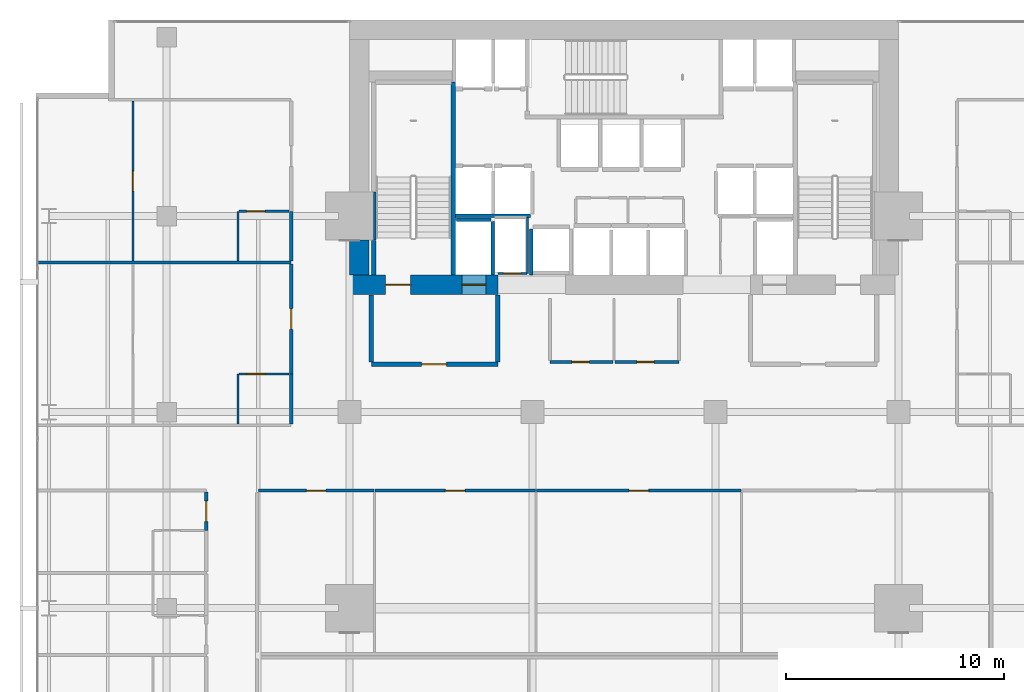
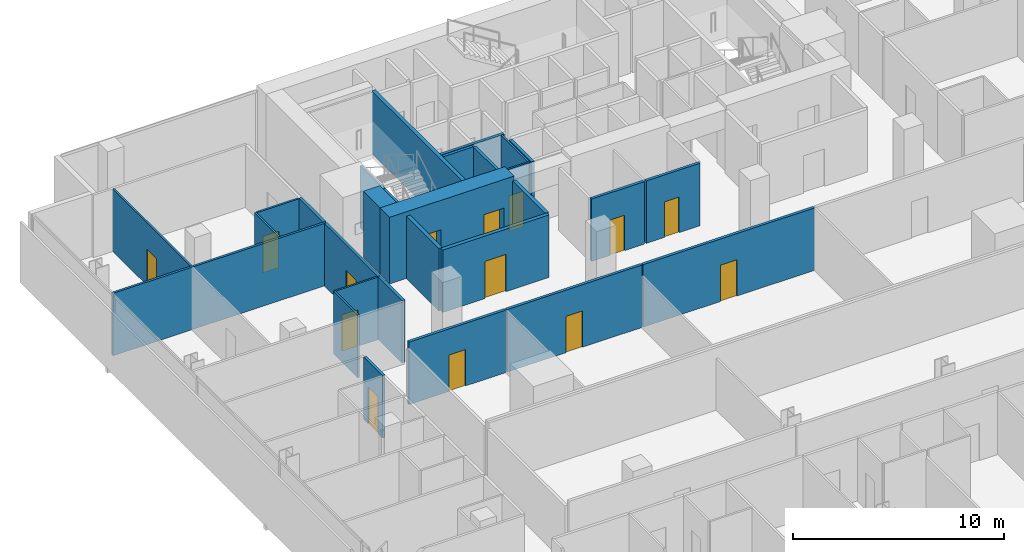
# One storey, part 35 of 40: 29 walls, 14 doors, 14 openings.
"""IFC4 building model written with IfcOpenShell, lengths in metres."""

from ifc_helpers import new_model, si_unit, direction, frame, frame_2d, origin, place, context, subcontext, project, spatial, rectangle, extrude, material, layer, layer_set, type_object, element, fill, save


model = new_model("IFC4")

# Units and contexts
model_context = context("Model", 3, precision=1e-05, world=origin(), true_north=direction((0.0, 1.0)))
body_context = subcontext(model_context, "Body", "Model", "MODEL_VIEW")
ifc_project = project(units=[si_unit("LENGTHUNIT", "METRE"), si_unit("AREAUNIT", "SQUARE_METRE"), si_unit("VOLUMEUNIT", "CUBIC_METRE"), si_unit("PLANEANGLEUNIT", "RADIAN"), si_unit("MASSUNIT", "GRAM", prefix="KILO")], contexts=[model_context])

# Site, building, storey
site_placement = place(None, origin())
site = spatial("IfcSite", under=ifc_project, at=site_placement, CompositionType="ELEMENT")
building_placement = place(site_placement, origin())
building = spatial("IfcBuilding", under=site, at=building_placement, Name="Maruvema Waterfront Hotel and Observation Tower", CompositionType="ELEMENT")
storey_placement = place(building_placement, frame((0.0, 0.0, 107.800048828125)))
storey = spatial("IfcBuildingStorey", under=building, at=storey_placement, Name="L26", CompositionType="ELEMENT", Elevation=107.800048828125)

# Wall, opening, door
ifc_material_1 = material(Name="Twin-stud acoustic gypsum drywall", Category="gypsum")
ifc_layer_1 = layer(ifc_material_1, 0.14990234375, Name="Acoustic Corridor and Suite Demising Wall 150 mm")
ifc_layer_set_1 = layer_set([ifc_layer_1], Name="Twin-stud acoustic gypsum drywall")
wall_type_1 = type_object("IfcWallType", Name="Acoustic Corridor and Suite Demising Wall 150 mm", PredefinedType="PARTITIONING", material=ifc_layer_set_1)
wall_1_placement = place(storey_placement, frame((34.39990234375, 38.300048828125, 0.0), z_axis=(0.0, 0.0, 1.0), x_axis=(1.0, 0.0, 0.0)))
wall_1 = element("IfcWall", 1, at=wall_1_placement, inside=storey, type_object=wall_type_1, Name="L26 Core Apron K2A South 017", PredefinedType="PARTITIONING", context=body_context, shape_type="SweptSolid", body=[
    extrude(rectangle(XDim=2.880126953125, YDim=0.14990234375, at=frame_2d((1.43994140625, 0.0))), origin(), (0.0, 0.0, 1.0), 3.60986328125),
])
opening_1_placement = place(wall_1_placement, frame((1.0, 0.0, 0.0)))
opening_1 = element("IfcOpeningElement", 2, at=opening_1_placement, cuts=wall_1, Name="Opening DR-080", PredefinedType="OPENING", context=body_context, shape_type="SweptSolid", body=[
    extrude(rectangle(XDim=0.800048828125, YDim=2.050048828125, at=frame_2d((0.39990234375, 1.02490234375))), frame((0.0, 0.0849609375, 0.0), z_axis=(0.0, -1.0, 0.0), x_axis=(1.0, 0.0, 0.0)), (0.0, 0.0, 1.0), 0.169921875),
])
ifc_material_2 = material(Name="Powder-coated steel access leaf", Category="steel")
door_type_1 = type_object("IfcDoorType", Name="Riser and Service Cupboard Door 800x2050 mm", OperationType="NOTDEFINED", PredefinedType="DOOR", material=ifc_material_2)
door_1_placement = place(opening_1_placement, frame((0.800048828125, 0.0, 0.0), z_axis=(0.0, 0.0, 1.0), x_axis=(-1.0, 0.0, 0.0)))
door_1 = element("IfcDoor", 3, at=door_1_placement, inside=storey, type_object=door_type_1, Name="L26 Core Ice Alcove Door", OperationType="SINGLE_SWING_RIGHT", OverallHeight=2.050048828125, OverallWidth=0.800048828125, PredefinedType="DOOR", context=body_context, shape_type="SweptSolid", body=[
    extrude(rectangle(XDim=0.800048828125, YDim=2.050048828125, at=frame_2d((0.39990234375, 1.02490234375))), frame((0.0, 0.02490234375, 0.0), z_axis=(0.0, -1.0, 0.0), x_axis=(1.0, 0.0, 0.0)), (0.0, 0.0, 1.0), 0.050048828125),
])
fill(opening_1, door_1)

wall_2_placement = place(storey_placement, frame((37.3798828125, 38.300048828125, 0.0), z_axis=(0.0, 0.0, 1.0), x_axis=(1.0, 0.0, 0.0)))
wall_2 = element("IfcWall", 4, at=wall_2_placement, inside=storey, type_object=wall_type_1, Name="L26 Core Apron K2B South 018", PredefinedType="PARTITIONING", context=body_context, shape_type="SweptSolid", body=[
    extrude(rectangle(XDim=2.940185546875, YDim=0.14990234375, at=frame_2d((1.47021484375, 0.0))), origin(), (0.0, 0.0, 1.0), 3.60986328125),
])
opening_2_placement = place(wall_2_placement, frame((1.0, 0.0, 0.0)))
opening_2 = element("IfcOpeningElement", 5, at=opening_2_placement, cuts=wall_2, Name="Opening DR-080", PredefinedType="OPENING", context=body_context, shape_type="SweptSolid", body=[
    extrude(rectangle(XDim=0.800048828125, YDim=2.050048828125, at=frame_2d((0.39990234375, 1.02490234375))), frame((0.0, 0.0849609375, 0.0), z_axis=(0.0, -1.0, 0.0), x_axis=(1.0, 0.0, 0.0)), (0.0, 0.0, 1.0), 0.169921875),
])
door_2_placement = place(opening_2_placement, frame((0.800048828125, 0.0, 0.0), z_axis=(0.0, 0.0, 1.0), x_axis=(-1.0, 0.0, 0.0)))
door_2 = element("IfcDoor", 6, at=door_2_placement, inside=storey, type_object=door_type_1, Name="L26 Core Valet Closet Door", OperationType="SINGLE_SWING_LEFT", OverallHeight=2.050048828125, OverallWidth=0.800048828125, PredefinedType="DOOR", context=body_context, shape_type="SweptSolid", body=[
    extrude(rectangle(XDim=0.800048828125, YDim=2.050048828125, at=frame_2d((0.39990234375, 1.02490234375))), frame((0.0, 0.02490234375, 0.0), z_axis=(0.0, -1.0, 0.0), x_axis=(1.0, 0.0, 0.0)), (0.0, 0.0, 1.0), 0.050048828125),
])
fill(opening_2, door_2)

wall_3_placement = place(storey_placement, frame((21.010009765625, 32.39990234375, 0.0), z_axis=(0.0, 0.0, 1.0), x_axis=(1.0, 0.0, 0.0)))
wall_3 = element("IfcWall", 7, at=wall_3_placement, inside=storey, type_object=wall_type_1, Name="L26 L26-INTN Front 1 025", PredefinedType="PARTITIONING", context=body_context, shape_type="SweptSolid", body=[
    extrude(rectangle(XDim=5.302001953125, YDim=0.14990234375, at=frame_2d((2.65087890625, 0.0))), origin(), (0.0, 0.0, 1.0), 3.60986328125),
])
opening_3_placement = place(wall_3_placement, frame((2.200927734375, 0.0, 0.0)))
opening_3 = element("IfcOpeningElement", 8, at=opening_3_placement, cuts=wall_3, Name="Opening DR-090", PredefinedType="OPENING", context=body_context, shape_type="SweptSolid", body=[
    extrude(rectangle(XDim=0.89990234375, YDim=2.10009765625, at=frame_2d((0.449951171875, 1.050048828125))), frame((0.0, 0.0849609375, 0.0), z_axis=(0.0, -1.0, 0.0), x_axis=(1.0, 0.0, 0.0)), (0.0, 0.0, 1.0), 0.169921875),
])
ifc_material_3 = material(Name="Solid-core lacquered timber leaf", Category="wood")
door_type_2 = type_object("IfcDoorType", Name="Accessible Toilet and Room Door 900x2100 mm", OperationType="NOTDEFINED", PredefinedType="DOOR", material=ifc_material_3)
door_3_placement = place(opening_3_placement, origin())
door_3 = element("IfcDoor", 9, at=door_3_placement, inside=storey, type_object=door_type_2, Name="L26 Boardroom Salon Door", OperationType="SINGLE_SWING_RIGHT", OverallHeight=2.10009765625, OverallWidth=0.89990234375, PredefinedType="DOOR", context=body_context, shape_type="SweptSolid", body=[
    extrude(rectangle(XDim=0.89990234375, YDim=2.10009765625, at=frame_2d((0.449951171875, 1.050048828125))), frame((0.0, 0.02490234375, 0.0), z_axis=(0.0, -1.0, 0.0), x_axis=(1.0, 0.0, 0.0)), (0.0, 0.0, 1.0), 0.050048828125),
])
fill(opening_3, door_3)

wall_4_placement = place(storey_placement, frame((26.3720703125, 32.39990234375, 0.0), z_axis=(0.0, 0.0, 1.0), x_axis=(1.0, 0.0, 0.0)))
wall_4 = element("IfcWall", 10, at=wall_4_placement, inside=storey, type_object=wall_type_1, Name="L26 L26-INTN Front 2 027", PredefinedType="PARTITIONING", context=body_context, shape_type="SweptSolid", body=[
    extrude(rectangle(XDim=7.35400390625, YDim=0.14990234375, at=frame_2d((3.677001953125, 0.0))), origin(), (0.0, 0.0, 1.0), 3.60986328125),
])
opening_4_placement = place(wall_4_placement, frame((3.22705078125, 0.0, 0.0)))
opening_4 = element("IfcOpeningElement", 11, at=opening_4_placement, cuts=wall_4, Name="Opening DR-090", PredefinedType="OPENING", context=body_context, shape_type="SweptSolid", body=[
    extrude(rectangle(XDim=0.89990234375, YDim=2.10009765625, at=frame_2d((0.449951171875, 1.050048828125))), frame((0.0, 0.0849609375, 0.0), z_axis=(0.0, -1.0, 0.0), x_axis=(1.0, 0.0, 0.0)), (0.0, 0.0, 1.0), 0.169921875),
])
door_4_placement = place(opening_4_placement, origin())
door_4 = element("IfcDoor", 12, at=door_4_placement, inside=storey, type_object=door_type_2, Name="L26 Chef Pantry Kitchen 1 Door", OperationType="SINGLE_SWING_LEFT", OverallHeight=2.10009765625, OverallWidth=0.89990234375, PredefinedType="DOOR", context=body_context, shape_type="SweptSolid", body=[
    extrude(rectangle(XDim=0.89990234375, YDim=2.10009765625, at=frame_2d((0.449951171875, 1.050048828125))), frame((0.0, 0.02490234375, 0.0), z_axis=(0.0, -1.0, 0.0), x_axis=(1.0, 0.0, 0.0)), (0.0, 0.0, 1.0), 0.050048828125),
])
fill(opening_4, door_4)

wall_5_placement = place(storey_placement, frame((33.785888671875, 32.39990234375, 0.0), z_axis=(0.0, 0.0, 1.0), x_axis=(1.0, 0.0, 0.0)))
wall_5 = element("IfcWall", 13, at=wall_5_placement, inside=storey, type_object=wall_type_1, Name="L26 L26-INTN Front 3 029", PredefinedType="PARTITIONING", context=body_context, shape_type="SweptSolid", body=[
    extrude(rectangle(XDim=9.376220703125, YDim=0.14990234375, at=frame_2d((4.68798828125, 0.0))), origin(), (0.0, 0.0, 1.0), 3.60986328125),
])
opening_5_placement = place(wall_5_placement, frame((4.238037109375, 0.0, 0.0)))
opening_5 = element("IfcOpeningElement", 14, at=opening_5_placement, cuts=wall_5, Name="Opening DR-090", PredefinedType="OPENING", context=body_context, shape_type="SweptSolid", body=[
    extrude(rectangle(XDim=0.89990234375, YDim=2.10009765625, at=frame_2d((0.449951171875, 1.050048828125))), frame((0.0, 0.0849609375, 0.0), z_axis=(0.0, -1.0, 0.0), x_axis=(1.0, 0.0, 0.0)), (0.0, 0.0, 1.0), 0.169921875),
])
door_5_placement = place(opening_5_placement, origin())
door_5 = element("IfcDoor", 15, at=door_5_placement, inside=storey, type_object=door_type_2, Name="L26 Chef Pantry Kitchen 2 Door", OperationType="SINGLE_SWING_RIGHT", OverallHeight=2.10009765625, OverallWidth=0.89990234375, PredefinedType="DOOR", context=body_context, shape_type="SweptSolid", body=[
    extrude(rectangle(XDim=0.89990234375, YDim=2.10009765625, at=frame_2d((0.449951171875, 1.050048828125))), frame((0.0, 0.02490234375, 0.0), z_axis=(0.0, -1.0, 0.0), x_axis=(1.0, 0.0, 0.0)), (0.0, 0.0, 1.0), 0.050048828125),
])
fill(opening_5, door_5)

wall_6_placement = place(storey_placement, frame((18.6201171875, 30.570068359375, 0.0), z_axis=(0.0, 0.0, 1.0), x_axis=(0.0, 1.0, 0.0)))
wall_6 = element("IfcWall", 16, at=wall_6_placement, inside=storey, type_object=wall_type_1, Name="L26 Room L26-W4 Corridor Wall 102", PredefinedType="PARTITIONING", context=body_context, shape_type="SweptSolid", body=[
    extrude(rectangle(XDim=1.77001953125, YDim=0.14990234375, at=frame_2d((0.885009765625, 0.0))), origin(), (0.0, 0.0, 1.0), 3.60986328125),
])
opening_6_placement = place(wall_6_placement, frame((0.409912109375, 0.0, 0.0)))
opening_6 = element("IfcOpeningElement", 17, at=opening_6_placement, cuts=wall_6, Name="Opening DR-095", PredefinedType="OPENING", context=body_context, shape_type="SweptSolid", body=[
    extrude(rectangle(XDim=0.949951171875, YDim=2.14990234375, at=frame_2d((0.47509765625, 1.074951171875))), frame((0.0, 0.0849609375, 0.0), z_axis=(0.0, -1.0, 0.0), x_axis=(1.0, 0.0, 0.0)), (0.0, 0.0, 1.0), 0.169921875),
])
ifc_material_4 = material(Name="Acoustic solid-core hardwood timber leaf", Category="wood")
door_type_3 = type_object("IfcDoorType", Name="Guestroom Entrance Fire Door 950x2150 mm", OperationType="NOTDEFINED", PredefinedType="DOOR", material=ifc_material_4)
door_6_placement = place(opening_6_placement, origin())
door_6 = element("IfcDoor", 18, at=door_6_placement, inside=storey, type_object=door_type_3, Name="L26 Room L26-W4 Entrance Door", OperationType="SINGLE_SWING_LEFT", OverallHeight=2.14990234375, OverallWidth=0.949951171875, PredefinedType="DOOR", context=body_context, shape_type="SweptSolid", body=[
    extrude(rectangle(XDim=0.949951171875, YDim=2.14990234375, at=frame_2d((0.47509765625, 1.074951171875))), frame((0.0, 0.02490234375, 0.0), z_axis=(0.0, -1.0, 0.0), x_axis=(1.0, 0.0, 0.0)), (0.0, 0.0, 1.0), 0.050048828125),
])
fill(opening_6, door_6)

# Wall
wall_7_placement = place(storey_placement, frame((22.52001953125, 35.4599609375, 0.0), z_axis=(0.0, 0.0, 1.0), x_axis=(0.0, 1.0, 0.0)))
element("IfcWall", 19, at=wall_7_placement, inside=storey, type_object=wall_type_1, Name="L26 Bath L26-NW1 Wall 113", PredefinedType="PARTITIONING", context=body_context, shape_type="SweptSolid", body=[
    extrude(rectangle(XDim=2.2900390625, YDim=0.14990234375, at=frame_2d((1.14501953125, 0.0))), origin(), (0.0, 0.0, 1.0), 3.60986328125),
])

# Wall, opening, door
wall_8_placement = place(storey_placement, frame((22.52001953125, 37.75, 0.0), z_axis=(0.0, 0.0, 1.0), x_axis=(0.0, 1.0, 0.0)))
wall_8 = element("IfcWall", 20, at=wall_8_placement, inside=storey, type_object=wall_type_1, Name="L26 Room L26-NW1 Corridor Wall 114", PredefinedType="PARTITIONING", context=body_context, shape_type="SweptSolid", body=[
    extrude(rectangle(XDim=5.05859375, YDim=0.14990234375, at=frame_2d((2.529296875, 0.0))), origin(), (0.0, 0.0, 1.0), 3.60986328125),
])
opening_7_placement = place(wall_8_placement, frame((2.054443359375, 0.0, 0.0)))
opening_7 = element("IfcOpeningElement", 21, at=opening_7_placement, cuts=wall_8, Name="Opening DR-095", PredefinedType="OPENING", context=body_context, shape_type="SweptSolid", body=[
    extrude(rectangle(XDim=0.949951171875, YDim=2.14990234375, at=frame_2d((0.47509765625, 1.074951171875))), frame((0.0, 0.0849609375, 0.0), z_axis=(0.0, -1.0, 0.0), x_axis=(1.0, 0.0, 0.0)), (0.0, 0.0, 1.0), 0.169921875),
])
door_7_placement = place(opening_7_placement, origin())
door_7 = element("IfcDoor", 22, at=door_7_placement, inside=storey, type_object=door_type_3, Name="L26 Room L26-NW1 Entrance Door", OperationType="SINGLE_SWING_LEFT", OverallHeight=2.14990234375, OverallWidth=0.949951171875, PredefinedType="DOOR", context=body_context, shape_type="SweptSolid", body=[
    extrude(rectangle(XDim=0.949951171875, YDim=2.14990234375, at=frame_2d((0.47509765625, 1.074951171875))), frame((0.0, 0.02490234375, 0.0), z_axis=(0.0, -1.0, 0.0), x_axis=(1.0, 0.0, 0.0)), (0.0, 0.0, 1.0), 0.050048828125),
])
fill(opening_7, door_7)

# Walls
wall_9_placement = place(storey_placement, frame((22.52001953125, 42.9287109375, 0.0), z_axis=(0.0, 0.0, 1.0), x_axis=(0.0, 1.0, 0.0)))
element("IfcWall", 23, at=wall_9_placement, inside=storey, type_object=wall_type_1, Name="L26 Bath L26-NW2 Wall 125", PredefinedType="PARTITIONING", context=body_context, shape_type="SweptSolid", body=[
    extrude(rectangle(XDim=2.2900390625, YDim=0.14990234375, at=frame_2d((1.14501953125, 0.0))), origin(), (0.0, 0.0, 1.0), 3.60986328125),
])
ifc_material_5 = material(Name="Precast concrete C45/55", Category="concrete")
ifc_layer_2 = layer(ifc_material_5, 0.199951171875, Name="Core Shaft and Stairwell Enclosure Wall 200 mm")
ifc_layer_set_2 = layer_set([ifc_layer_2], Name="Precast concrete C45/55")
wall_type_2 = type_object("IfcWallType", Name="Core Shaft and Stairwell Enclosure Wall 200 mm", PredefinedType="SOLIDWALL", material=ifc_layer_set_2)
wall_10_placement = place(storey_placement, frame((29.949951171875, 42.300048828125, 0.0), z_axis=(0.0, 0.0, 1.0), x_axis=(0.0, 1.0, 0.0)))
element("IfcWall", 24, at=wall_10_placement, inside=storey, type_object=wall_type_2, Name="L26 Stairwell ST-01 East Shaft Wall", PredefinedType="SOLIDWALL", context=body_context, shape_type="SweptSolid", body=[
    extrude(rectangle(XDim=8.849853515625, YDim=0.199951171875, at=frame_2d((4.4248046875, 0.0))), origin(), (0.0, 0.0, 1.0), 3.60986328125),
])
wall_11_placement = place(storey_placement, frame((26.300048828125, 42.300048828125, 0.0), z_axis=(0.0, 0.0, 1.0), x_axis=(0.0, 1.0, 0.0)))
element("IfcWall", 25, at=wall_11_placement, inside=storey, type_object=wall_type_2, Name="L26 Stairwell ST-01 Shaft Lining Wall", PredefinedType="SOLIDWALL", context=body_context, shape_type="SweptSolid", body=[
    extrude(rectangle(XDim=1.579833984375, YDim=0.199951171875, at=frame_2d((0.7900390625, 0.0))), origin(), (0.0, 0.0, 1.0), 3.60986328125),
])

# Wall, openings, doors
ifc_material_6 = material(Name="Concrete C80/95", Category="concrete")
ifc_layer_3 = layer(ifc_material_6, 0.89990234375, Name="Core Shear Wall 900 mm")
ifc_layer_set_3 = layer_set([ifc_layer_3], Name="Concrete C80/95")
wall_type_3 = type_object("IfcWallType", Name="Core Shear Wall 900 mm", PredefinedType="SHEAR", material=ifc_layer_set_3)
wall_12_placement = place(storey_placement, frame((25.199951171875, 41.85009765625, 0.0), z_axis=(0.0, 0.0, 1.0), x_axis=(1.0, 0.0, 0.0)))
wall_12 = element("IfcWall", 26, at=wall_12_placement, inside=storey, type_object=wall_type_3, Name="L26 South-West Core Shear Wall", PredefinedType="SHEAR", context=body_context, shape_type="SweptSolid", body=[
    extrude(rectangle(XDim=6.800048828125, YDim=0.89990234375, at=frame_2d((3.39990234375, 0.0))), origin(), (0.0, 0.0, 1.0), 3.849853515625),
])
opening_8_placement = place(wall_12_placement, frame((1.64990234375, 0.0, 0.0)))
opening_8 = element("IfcOpeningElement", 27, at=opening_8_placement, cuts=wall_12, Name="Opening SD-01", PredefinedType="OPENING", context=body_context, shape_type="SweptSolid", body=[
    extrude(rectangle(XDim=1.14990234375, YDim=2.14990234375, at=frame_2d((0.574951171875, 1.074951171875))), frame((0.0, 0.4599609375, 0.0), z_axis=(0.0, -1.0, 0.0), x_axis=(1.0, 0.0, 0.0)), (0.0, 0.0, 1.0), 0.919921875),
])
opening_9_placement = place(wall_12_placement, frame((5.14990234375, 0.0, 0.0)))
opening_9 = element("IfcOpeningElement", 28, at=opening_9_placement, cuts=wall_12, Name="Opening LD-03", PredefinedType="OPENING", context=body_context, shape_type="SweptSolid", body=[
    extrude(rectangle(XDim=1.10009765625, YDim=2.199951171875, at=frame_2d((0.550048828125, 1.10009765625))), frame((0.0, 0.4599609375, 0.0), z_axis=(0.0, -1.0, 0.0), x_axis=(1.0, 0.0, 0.0)), (0.0, 0.0, 1.0), 0.919921875),
])
ifc_material_7 = material(Name="Fire-rated galvanised steel leaf", Category="steel")
door_type_4 = type_object("IfcDoorType", Name="Exit Stair Fire Door 1150x2150 mm", OperationType="NOTDEFINED", PredefinedType="DOOR", material=ifc_material_7)
door_8_placement = place(opening_8_placement, origin())
door_8 = element("IfcDoor", 29, at=door_8_placement, inside=storey, type_object=door_type_4, Name="L26 Exit Stair ST-01 Fire Door", OperationType="SINGLE_SWING_LEFT", OverallHeight=2.14990234375, OverallWidth=1.14990234375, PredefinedType="DOOR", context=body_context, shape_type="SweptSolid", body=[
    extrude(rectangle(XDim=1.14990234375, YDim=2.14990234375, at=frame_2d((0.574951171875, 1.074951171875))), frame((0.0, 0.02490234375, 0.0), z_axis=(0.0, -1.0, 0.0), x_axis=(1.0, 0.0, 0.0)), (0.0, 0.0, 1.0), 0.050048828125),
])
fill(opening_8, door_8)
ifc_material_8 = material(Name="Brushed stainless steel Grade 316", Category="steel")
door_type_5 = type_object("IfcDoorType", Name="Firefighting Lift Sliding Landing Door 1100x2200 mm", OperationType="SLIDING_TO_LEFT", PredefinedType="DOOR", material=ifc_material_8)
door_9_placement = place(opening_9_placement, frame((1.10009765625, 0.0, 0.0), z_axis=(0.0, 0.0, 1.0), x_axis=(-1.0, 0.0, 0.0)))
door_9 = element("IfcDoor", 30, at=door_9_placement, inside=storey, type_object=door_type_5, Name="L26 Firefighting Lift FL-01 Landing Door", OperationType="SLIDING_TO_LEFT", OverallHeight=2.199951171875, OverallWidth=1.10009765625, PredefinedType="DOOR", context=body_context, shape_type="SweptSolid", body=[
    extrude(rectangle(XDim=1.10009765625, YDim=2.199951171875, at=frame_2d((0.550048828125, 1.10009765625))), frame((0.0, 0.02490234375, 0.0), z_axis=(0.0, -1.0, 0.0), x_axis=(1.0, 0.0, 0.0)), (0.0, 0.0, 1.0), 0.050048828125),
])
fill(opening_9, door_9)

# Wall
wall_13_placement = place(storey_placement, frame((25.64990234375, 42.300048828125, 0.0), z_axis=(0.0, 0.0, 1.0), x_axis=(0.0, 1.0, 0.0)))
element("IfcWall", 31, at=wall_13_placement, inside=storey, type_object=wall_type_3, Name="L26 West-South Core Shear Wall", PredefinedType="SHEAR", context=body_context, shape_type="SweptSolid", body=[
    extrude(rectangle(XDim=1.599853515625, YDim=0.89990234375, at=frame_2d((0.7998046875, 0.0))), origin(), (0.0, 0.0, 1.0), 3.849853515625),
])

# Wall, opening, door
ifc_material_9 = material(Name="Moisture-resistant cement-board drywall", Category="gypsum")
ifc_layer_4 = layer(ifc_material_9, 0.10009765625, Name="En-Suite Moisture-Resistant Partition 100 mm")
ifc_layer_set_4 = layer_set([ifc_layer_4], Name="Moisture-resistant cement-board drywall")
wall_type_4 = type_object("IfcWallType", Name="En-Suite Moisture-Resistant Partition 100 mm", PredefinedType="PARTITIONING", material=ifc_layer_set_4)
wall_14_placement = place(storey_placement, frame((32.02001953125, 42.360107421875, 0.0), z_axis=(0.0, 0.0, 1.0), x_axis=(1.0, 0.0, 0.0)))
wall_14 = element("IfcWall", 32, at=wall_14_placement, inside=storey, type_object=wall_type_4, Name="L26 Telecom Riser South Wall 007", PredefinedType="PARTITIONING", context=body_context, shape_type="SweptSolid", body=[
    extrude(rectangle(XDim=1.320068359375, YDim=0.10009765625, at=frame_2d((0.66015625, 0.0))), origin(), (0.0, 0.0, 1.0), 3.60986328125),
])
opening_10_placement = place(wall_14_placement, frame((0.239990234375, 0.0, 0.0)))
opening_10 = element("IfcOpeningElement", 33, at=opening_10_placement, cuts=wall_14, Name="Opening DR-080", PredefinedType="OPENING", context=body_context, shape_type="SweptSolid", body=[
    extrude(rectangle(XDim=0.800048828125, YDim=2.050048828125, at=frame_2d((0.39990234375, 1.02490234375))), frame((0.0, 0.06005859375, 0.0), z_axis=(0.0, -1.0, 0.0), x_axis=(1.0, 0.0, 0.0)), (0.0, 0.0, 1.0), 0.1201171875),
])
door_10_placement = place(opening_10_placement, frame((0.800048828125, 0.0, 0.0), z_axis=(0.0, 0.0, 1.0), x_axis=(-1.0, 0.0, 0.0)))
door_10 = element("IfcDoor", 34, at=door_10_placement, inside=storey, type_object=door_type_1, Name="L26 Telecom Riser Door", OperationType="SINGLE_SWING_RIGHT", OverallHeight=2.050048828125, OverallWidth=0.800048828125, PredefinedType="DOOR", context=body_context, shape_type="SweptSolid", body=[
    extrude(rectangle(XDim=0.800048828125, YDim=2.050048828125, at=frame_2d((0.39990234375, 1.02490234375))), frame((0.0, 0.02490234375, 0.0), z_axis=(0.0, -1.0, 0.0), x_axis=(1.0, 0.0, 0.0)), (0.0, 0.0, 1.0), 0.050048828125),
])
fill(opening_10, door_10)

# Walls
wall_15_placement = place(storey_placement, frame((33.360107421875, 42.360107421875, 0.0), z_axis=(0.0, 0.0, 1.0), x_axis=(0.0, 1.0, 0.0)))
element("IfcWall", 35, at=wall_15_placement, inside=storey, type_object=wall_type_4, Name="L26 Telecom Riser East Wall 009", PredefinedType="PARTITIONING", context=body_context, shape_type="SweptSolid", body=[
    extrude(rectangle(XDim=2.579833984375, YDim=0.10009765625, at=frame_2d((1.2900390625, 0.0))), origin(), (0.0, 0.0, 1.0), 3.60986328125),
])
wall_16_placement = place(storey_placement, frame((20.070068359375, 35.4599609375, 0.0), z_axis=(0.0, 0.0, 1.0), x_axis=(0.0, 1.0, 0.0)))
element("IfcWall", 36, at=wall_16_placement, inside=storey, type_object=wall_type_4, Name="L26 En-Suite L26-NW1 W 115", PredefinedType="PARTITIONING", context=body_context, shape_type="SweptSolid", body=[
    extrude(rectangle(XDim=2.2900390625, YDim=0.10009765625, at=frame_2d((1.14501953125, 0.0))), origin(), (0.0, 0.0, 1.0), 3.60986328125),
])

# Wall, opening, door
wall_17_placement = place(storey_placement, frame((20.1201171875, 37.75, 0.0), z_axis=(0.0, 0.0, 1.0), x_axis=(1.0, 0.0, 0.0)))
wall_17 = element("IfcWall", 37, at=wall_17_placement, inside=storey, type_object=wall_type_4, Name="L26 En-Suite L26-NW1 N 116", PredefinedType="PARTITIONING", context=body_context, shape_type="SweptSolid", body=[
    extrude(rectangle(XDim=2.2998046875, YDim=0.10009765625, at=frame_2d((1.14990234375, 0.0))), origin(), (0.0, 0.0, 1.0), 3.60986328125),
])
opening_11_placement = place(wall_17_placement, frame((0.35009765625, 0.0, 0.0)))
opening_11 = element("IfcOpeningElement", 38, at=opening_11_placement, cuts=wall_17, Name="Opening DR-085", PredefinedType="OPENING", context=body_context, shape_type="SweptSolid", body=[
    extrude(rectangle(XDim=0.85009765625, YDim=2.10009765625, at=frame_2d((0.425048828125, 1.050048828125))), frame((0.0, 0.06005859375, 0.0), z_axis=(0.0, -1.0, 0.0), x_axis=(1.0, 0.0, 0.0)), (0.0, 0.0, 1.0), 0.1201171875),
])
ifc_material_10 = material(Name="Moisture-resistant solid timber leaf", Category="wood")
door_type_6 = type_object("IfcDoorType", Name="En-Suite Bathroom Door 850x2100 mm", OperationType="NOTDEFINED", PredefinedType="DOOR", material=ifc_material_10)
door_11_placement = place(opening_11_placement, origin())
door_11 = element("IfcDoor", 39, at=door_11_placement, inside=storey, type_object=door_type_6, Name="L26 En-Suite L26-NW1 Door", OperationType="SINGLE_SWING_RIGHT", OverallHeight=2.10009765625, OverallWidth=0.85009765625, PredefinedType="DOOR", context=body_context, shape_type="SweptSolid", body=[
    extrude(rectangle(XDim=0.85009765625, YDim=2.10009765625, at=frame_2d((0.425048828125, 1.050048828125))), frame((0.0, 0.02490234375, 0.0), z_axis=(0.0, -1.0, 0.0), x_axis=(1.0, 0.0, 0.0)), (0.0, 0.0, 1.0), 0.050048828125),
])
fill(opening_11, door_11)

# Wall
wall_18_placement = place(storey_placement, frame((20.070068359375, 42.9287109375, 0.0), z_axis=(0.0, 0.0, 1.0), x_axis=(0.0, 1.0, 0.0)))
element("IfcWall", 40, at=wall_18_placement, inside=storey, type_object=wall_type_4, Name="L26 En-Suite L26-NW2 W 127", PredefinedType="PARTITIONING", context=body_context, shape_type="SweptSolid", body=[
    extrude(rectangle(XDim=2.2900390625, YDim=0.10009765625, at=frame_2d((1.14501953125, 0.0))), origin(), (0.0, 0.0, 1.0), 3.60986328125),
])

# Wall, opening, door
wall_19_placement = place(storey_placement, frame((20.1201171875, 45.21875, 0.0), z_axis=(0.0, 0.0, 1.0), x_axis=(1.0, 0.0, 0.0)))
wall_19 = element("IfcWall", 41, at=wall_19_placement, inside=storey, type_object=wall_type_4, Name="L26 En-Suite L26-NW2 N 128", PredefinedType="PARTITIONING", context=body_context, shape_type="SweptSolid", body=[
    extrude(rectangle(XDim=2.2998046875, YDim=0.10009765625, at=frame_2d((1.14990234375, 0.0))), origin(), (0.0, 0.0, 1.0), 3.60986328125),
])
opening_12_placement = place(wall_19_placement, frame((0.35009765625, 0.0, 0.0)))
opening_12 = element("IfcOpeningElement", 42, at=opening_12_placement, cuts=wall_19, Name="Opening DR-085", PredefinedType="OPENING", context=body_context, shape_type="SweptSolid", body=[
    extrude(rectangle(XDim=0.85009765625, YDim=2.10009765625, at=frame_2d((0.425048828125, 1.050048828125))), frame((0.0, 0.06005859375, 0.0), z_axis=(0.0, -1.0, 0.0), x_axis=(1.0, 0.0, 0.0)), (0.0, 0.0, 1.0), 0.1201171875),
])
door_12_placement = place(opening_12_placement, origin())
door_12 = element("IfcDoor", 43, at=door_12_placement, inside=storey, type_object=door_type_6, Name="L26 En-Suite L26-NW2 Door", OperationType="SINGLE_SWING_RIGHT", OverallHeight=2.10009765625, OverallWidth=0.85009765625, PredefinedType="DOOR", context=body_context, shape_type="SweptSolid", body=[
    extrude(rectangle(XDim=0.85009765625, YDim=2.10009765625, at=frame_2d((0.425048828125, 1.050048828125))), frame((0.0, 0.02490234375, 0.0), z_axis=(0.0, -1.0, 0.0), x_axis=(1.0, 0.0, 0.0)), (0.0, 0.0, 1.0), 0.050048828125),
])
fill(opening_12, door_12)

wall_20_placement = place(storey_placement, frame((15.24951171875, 42.9287109375, 0.0), z_axis=(0.0, 0.0, 1.0), x_axis=(0.0, 1.0, 0.0)))
wall_20 = element("IfcWall", 44, at=wall_20_placement, inside=storey, type_object=wall_type_4, Name="L26 Suite L26-NW2 Split 129", PredefinedType="PARTITIONING", context=body_context, shape_type="SweptSolid", body=[
    extrude(rectangle(XDim=7.348876953125, YDim=0.10009765625, at=frame_2d((3.67431640625, 0.0))), origin(), (0.0, 0.0, 1.0), 3.60986328125),
])
opening_13_placement = place(wall_20_placement, frame((3.224365234375, 0.0, 0.0)))
opening_13 = element("IfcOpeningElement", 45, at=opening_13_placement, cuts=wall_20, Name="Opening DR-090", PredefinedType="OPENING", context=body_context, shape_type="SweptSolid", body=[
    extrude(rectangle(XDim=0.89990234375, YDim=2.10009765625, at=frame_2d((0.449951171875, 1.050048828125))), frame((0.0, 0.06005859375, 0.0), z_axis=(0.0, -1.0, 0.0), x_axis=(1.0, 0.0, 0.0)), (0.0, 0.0, 1.0), 0.1201171875),
])
door_13_placement = place(opening_13_placement, origin())
door_13 = element("IfcDoor", 46, at=door_13_placement, inside=storey, type_object=door_type_2, Name="L26 Suite L26-NW2 Bedroom Door", OperationType="SINGLE_SWING_RIGHT", OverallHeight=2.10009765625, OverallWidth=0.89990234375, PredefinedType="DOOR", context=body_context, shape_type="SweptSolid", body=[
    extrude(rectangle(XDim=0.89990234375, YDim=2.10009765625, at=frame_2d((0.449951171875, 1.050048828125))), frame((0.0, 0.02490234375, 0.0), z_axis=(0.0, -1.0, 0.0), x_axis=(1.0, 0.0, 0.0)), (0.0, 0.0, 1.0), 0.050048828125),
])
fill(opening_13, door_13)

ifc_material_11 = material(Name="Autoclaved cellular concrete blockwork", Category="masonry")
ifc_layer_5 = layer(ifc_material_11, 0.199951171875, Name="Fire Compartment Masonry Wall 200 mm")
ifc_layer_set_5 = layer_set([ifc_layer_5], Name="Autoclaved cellular concrete blockwork")
wall_type_5 = type_object("IfcWallType", Name="Fire Compartment Masonry Wall 200 mm", PredefinedType="PARTITIONING", material=ifc_layer_set_5)
wall_21_placement = place(storey_placement, frame((26.199951171875, 38.199951171875, 0.0), z_axis=(0.0, 0.0, 1.0), x_axis=(1.0, 0.0, 0.0)))
wall_21 = element("IfcWall", 47, at=wall_21_placement, inside=storey, type_object=wall_type_5, Name="L26 FFL West South Wall 001", PredefinedType="PARTITIONING", context=body_context, shape_type="SweptSolid", body=[
    extrude(rectangle(XDim=5.800048828125, YDim=0.199951171875, at=frame_2d((2.89990234375, 0.0))), origin(), (0.0, 0.0, 1.0), 3.60986328125),
])
opening_14_placement = place(wall_21_placement, frame((2.300048828125, 0.0, 0.0)))
opening_14 = element("IfcOpeningElement", 48, at=opening_14_placement, cuts=wall_21, Name="Opening FD-115", PredefinedType="OPENING", context=body_context, shape_type="SweptSolid", body=[
    extrude(rectangle(XDim=1.14990234375, YDim=2.14990234375, at=frame_2d((0.574951171875, 1.074951171875))), frame((0.0, 0.10986328125, 0.0), z_axis=(0.0, -1.0, 0.0), x_axis=(1.0, 0.0, 0.0)), (0.0, 0.0, 1.0), 0.219970703125),
])
ifc_material_12 = material(Name="Fire-rated galvanised steel and vision glass", Category="steel")
door_type_7 = type_object("IfcDoorType", Name="Firefighting Lobby Fire Door 1150x2150 mm", OperationType="NOTDEFINED", PredefinedType="DOOR", material=ifc_material_12)
door_14_placement = place(opening_14_placement, frame((1.14990234375, 0.0, 0.0), z_axis=(0.0, 0.0, 1.0), x_axis=(-1.0, 0.0, 0.0)))
door_14 = element("IfcDoor", 49, at=door_14_placement, inside=storey, type_object=door_type_7, Name="L26 Firefighting Lobby West Door", OperationType="SINGLE_SWING_RIGHT", OverallHeight=2.14990234375, OverallWidth=1.14990234375, PredefinedType="DOOR", context=body_context, shape_type="SweptSolid", body=[
    extrude(rectangle(XDim=1.14990234375, YDim=2.14990234375, at=frame_2d((0.574951171875, 1.074951171875))), frame((0.0, 0.02490234375, 0.0), z_axis=(0.0, -1.0, 0.0), x_axis=(1.0, 0.0, 0.0)), (0.0, 0.0, 1.0), 0.050048828125),
])
fill(opening_14, door_14)

# Walls
for number, where, z_axis, x_axis, name in (
    (50, (26.199951171875, 38.31005859375, 0.0), (0.0, 0.0, 1.0), (0.0, 1.0, 0.0), "L26 FFL West West Wall 002"),
    (51, (32.0, 38.31005859375, 0.0), (0.0, 0.0, 1.0), (0.0, 1.0, 0.0), "L26 FFL West East Wall 003"),
):
    element("IfcWall", number, at=place(storey_placement, frame(where, z_axis=z_axis, x_axis=x_axis)), inside=storey, type_object=wall_type_5, Name=name, PredefinedType="PARTITIONING", context=body_context, shape_type="SweptSolid", body=[
        extrude(rectangle(XDim=3.06982421875, YDim=0.199951171875, at=frame_2d((1.534912109375, 0.0))), origin(), (0.0, 0.0, 1.0), 3.60986328125),
    ])
ifc_material_13 = material(Name="Acoustic gypsum plasterboard drywall", Category="gypsum")
ifc_layer_6 = layer(ifc_material_13, 0.125, Name="Guestroom Acoustic Demising Wall 125 mm")
ifc_layer_set_6 = layer_set([ifc_layer_6], Name="Acoustic gypsum plasterboard drywall")
wall_type_6 = type_object("IfcWallType", Name="Guestroom Acoustic Demising Wall 125 mm", PredefinedType="PARTITIONING", material=ifc_layer_set_6)
wall_22_placement = place(storey_placement, frame((10.89990234375, 42.86865234375, 0.0), z_axis=(0.0, 0.0, 1.0), x_axis=(1.0, 0.0, 0.0)))
element("IfcWall", 52, at=wall_22_placement, inside=storey, type_object=wall_type_6, Name="L26 NW Demising 2 123", PredefinedType="PARTITIONING", context=body_context, shape_type="SweptSolid", body=[
    extrude(rectangle(XDim=11.6201171875, YDim=0.125, at=frame_2d((5.81005859375, 0.0))), origin(), (0.0, 0.0, 1.0), 3.60986328125),
])
ifc_material_14 = material(Name="Precast concrete C45/55", Category="concrete")
ifc_layer_7 = layer(ifc_material_14, 0.159912109375, Name="Lift Hoistway Divider Wall 160 mm")
ifc_layer_set_7 = layer_set([ifc_layer_7], Name="Precast concrete C45/55")
wall_type_7 = type_object("IfcWallType", Name="Lift Hoistway Divider Wall 160 mm", PredefinedType="SOLIDWALL", material=ifc_layer_set_7)
wall_23_placement = place(storey_placement, frame((30.10009765625, 44.830078125, 0.0), z_axis=(0.0, 0.0, 1.0), x_axis=(1.0, 0.0, 0.0)))
element("IfcWall", 53, at=wall_23_placement, inside=storey, type_object=wall_type_7, Name="L26 Lift FL-01 Rear Hoistway Wall", PredefinedType="SOLIDWALL", context=body_context, shape_type="SweptSolid", body=[
    extrude(rectangle(XDim=1.599853515625, YDim=0.159912109375, at=frame_2d((0.7998046875, 0.0))), origin(), (0.0, 0.0, 1.0), 3.60986328125),
])
wall_24_placement = place(storey_placement, frame((31.780029296875, 42.300048828125, 0.0), z_axis=(0.0, 0.0, 1.0), x_axis=(0.0, 1.0, 0.0)))
element("IfcWall", 54, at=wall_24_placement, inside=storey, type_object=wall_type_7, Name="L26 Lift FL-01 Inner Hoistway Wall", PredefinedType="SOLIDWALL", context=body_context, shape_type="SweptSolid", body=[
    extrude(rectangle(XDim=2.43994140625, YDim=0.159912109375, at=frame_2d((1.219970703125, 0.0))), origin(), (0.0, 0.0, 1.0), 3.60986328125),
])
wall_25_placement = place(storey_placement, frame((30.050048828125, 45.010009765625, 0.0), z_axis=(0.0, 0.0, 1.0), x_axis=(1.0, 0.0, 0.0)))
element("IfcWall", 55, at=wall_25_placement, inside=storey, type_object=wall_type_7, Name="L26 Hoistway Divider Wall", PredefinedType="SOLIDWALL", context=body_context, shape_type="SweptSolid", body=[
    extrude(rectangle(XDim=3.449951171875, YDim=0.159912109375, at=frame_2d((1.72509765625, 0.0))), origin(), (0.0, 0.0, 1.0), 3.60986328125),
])
wall_26_placement = place(storey_placement, frame((33.5400390625, 42.300048828125, 0.0), z_axis=(0.0, 0.0, 1.0), x_axis=(0.0, 1.0, 0.0)))
element("IfcWall", 56, at=wall_26_placement, inside=storey, type_object=wall_type_7, Name="L26 Hoistway Divider Wall", PredefinedType="SOLIDWALL", context=body_context, shape_type="SweptSolid", body=[
    extrude(rectangle(XDim=2.099853515625, YDim=0.159912109375, at=frame_2d((1.0498046875, 0.0))), origin(), (0.0, 0.0, 1.0), 3.60986328125),
])
ifc_material_15 = material(Name="Precast concrete C45/55", Category="concrete")
ifc_layer_8 = layer(ifc_material_15, 0.10009765625, Name="Stairwell Stringer Cheek Wall 100 mm")
ifc_layer_set_8 = layer_set([ifc_layer_8], Name="Precast concrete C45/55")
wall_type_8 = type_object("IfcWallType", Name="Stairwell Stringer Cheek Wall 100 mm", PredefinedType="SOLIDWALL", material=ifc_layer_set_8)
wall_27_placement = place(storey_placement, frame((26.35205078125, 43.89990234375, 0.0), z_axis=(0.0, 0.0, 1.0), x_axis=(0.0, 1.0, 0.0)))
element("IfcWall", 57, at=wall_27_placement, inside=storey, type_object=wall_type_8, Name="L26 Stairwell ST-01 Mega-Column Cheek Wall", PredefinedType="SOLIDWALL", context=body_context, shape_type="SweptSolid", body=[
    extrude(rectangle(XDim=2.2001953125, YDim=0.10009765625, at=frame_2d((1.10009765625, 0.0))), origin(), (0.0, 0.0, 1.0), 3.60986328125),
])

save(model, "model.ifc")
